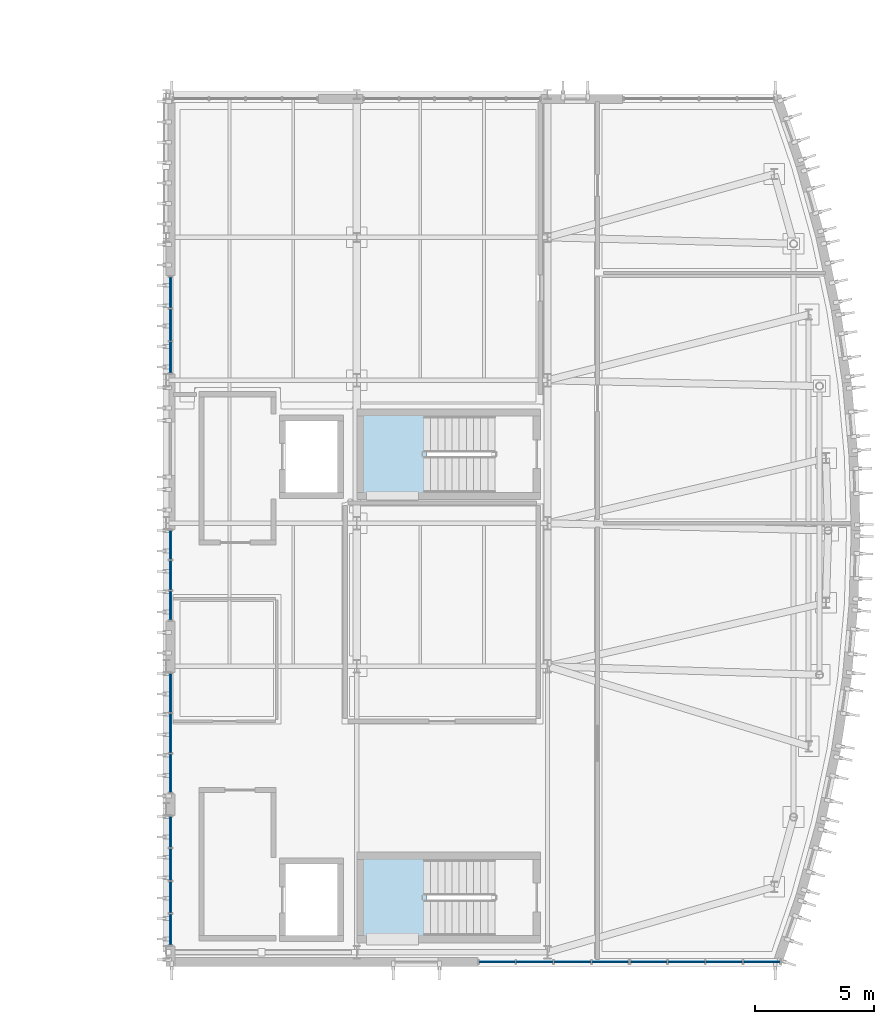
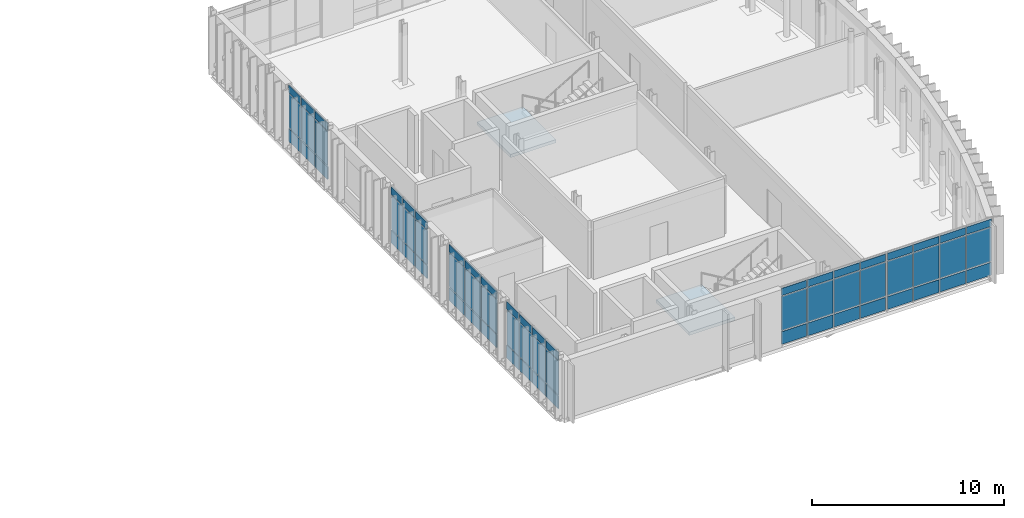
# One storey, part 19 of 43: 63 plates, 2 slabs, 8 elements without a shape of their own.
"""IFC4 building model written with IfcOpenShell, lengths in metres."""

from ifc_helpers import new_model, si_unit, direction, frame, origin, origin_2d, place, context, subcontext, project, spatial, polyline, rectangle, outline, extrude, material, layer, layer_set, type_object, element, aggregate, save


model = new_model("IFC4")

# Units and contexts
model_context = context("Model", 3, precision=1e-05, world=origin(), true_north=direction((0.0, 1.0)))
body_context = subcontext(model_context, "Body", "Model", "MODEL_VIEW")
ifc_project = project(units=[si_unit("LENGTHUNIT", "METRE"), si_unit("AREAUNIT", "SQUARE_METRE"), si_unit("VOLUMEUNIT", "CUBIC_METRE"), si_unit("PLANEANGLEUNIT", "RADIAN"), si_unit("MASSUNIT", "GRAM", prefix="KILO")], contexts=[model_context])

# Site, building, storey
site_placement = place(None, origin())
site = spatial("IfcSite", under=ifc_project, at=site_placement, CompositionType="ELEMENT")
building_placement = place(site_placement, origin())
building = spatial("IfcBuilding", under=site, at=building_placement, Name="Cymarion Research Institute", CompositionType="ELEMENT")
storey_placement = place(building_placement, frame((0.0, 0.0, 22.800048828125)))
storey = spatial("IfcBuildingStorey", under=building, at=storey_placement, Name="L05", CompositionType="ELEMENT", Elevation=22.800048828125)

# Curtain wall, plates
ifc_material_1 = material(Name="Anodised aluminium unitised curtain wall with Low-E glazing", Category="aluminium")
curtain_wall_type_1 = type_object("IfcCurtainWallType", Name="UNITISED CURTAIN WALL CW46 6360X3680", PredefinedType="NOTDEFINED", material=ifc_material_1)
curtain_wall_1_placement = place(storey_placement, origin())
curtain_wall_1 = element("IfcCurtainWall", 1, at=curtain_wall_1_placement, inside=storey, type_object=curtain_wall_type_1, Name="L05 V1 unitised curtain wall CW46 #200", PredefinedType="NOTDEFINED")
ifc_material_2 = material(Name="Insulated anodised aluminium spandrel panel", Category="aluminium")
ifc_layer_1 = layer(ifc_material_2, 0.06005859375)
ifc_layer_set_1 = layer_set([ifc_layer_1], Name="Insulated anodised aluminium spandrel panel")
plate_type_1 = type_object("IfcPlateType", Name="INSULATED ALUMINIUM SPANDREL PANEL SP01 60MM", PredefinedType="SHEET", material=ifc_layer_set_1)
plate_1_placement = place(storey_placement, frame((152.490966796875, 5.090087890625, 0.059814453125), z_axis=(0.0, 0.0, 1.0), x_axis=(1.0, 0.0, 0.0)))
plate_1 = element("IfcPlate", 2, at=plate_1_placement, type_object=plate_type_1, Name="CW46 panel 1.1", PredefinedType="SHEET", context=body_context, shape_type="SweptSolid", body=[
    extrude(rectangle(XDim=1.499755859375, YDim=0.06005859375, at=origin_2d()), origin(), (0.0, 0.0, 1.0), 0.81005859375),
])
plate_2_placement = place(storey_placement, frame((152.490966796875, 5.090087890625, 3.159912109375), z_axis=(0.0, 0.0, 1.0), x_axis=(1.0, 0.0, 0.0)))
plate_2 = element("IfcPlate", 3, at=plate_2_placement, type_object=plate_type_1, Name="CW46 panel 1.3", PredefinedType="SHEET", context=body_context, shape_type="SweptSolid", body=[
    extrude(rectangle(XDim=1.499755859375, YDim=0.06005859375, at=origin_2d()), origin(), (0.0, 0.0, 1.0), 0.4599609375),
])
plate_3_placement = place(storey_placement, frame((154.06591796875, 5.090087890625, 0.059814453125), z_axis=(0.0, 0.0, 1.0), x_axis=(1.0, 0.0, 0.0)))
plate_3 = element("IfcPlate", 4, at=plate_3_placement, type_object=plate_type_1, Name="CW46 panel 2.1", PredefinedType="SHEET", context=body_context, shape_type="SweptSolid", body=[
    extrude(rectangle(XDim=1.52978515625, YDim=0.06005859375, at=origin_2d()), origin(), (0.0, 0.0, 1.0), 0.81005859375),
])
plate_4_placement = place(storey_placement, frame((154.06591796875, 5.090087890625, 3.159912109375), z_axis=(0.0, 0.0, 1.0), x_axis=(1.0, 0.0, 0.0)))
plate_4 = element("IfcPlate", 5, at=plate_4_placement, type_object=plate_type_1, Name="CW46 panel 2.3", PredefinedType="SHEET", context=body_context, shape_type="SweptSolid", body=[
    extrude(rectangle(XDim=1.52978515625, YDim=0.06005859375, at=origin_2d()), origin(), (0.0, 0.0, 1.0), 0.4599609375),
])
plate_5_placement = place(storey_placement, frame((155.65576171875, 5.090087890625, 0.059814453125), z_axis=(0.0, 0.0, 1.0), x_axis=(1.0, 0.0, 0.0)))
plate_5 = element("IfcPlate", 6, at=plate_5_placement, type_object=plate_type_1, Name="CW46 panel 3.1", PredefinedType="SHEET", context=body_context, shape_type="SweptSolid", body=[
    extrude(rectangle(XDim=1.52978515625, YDim=0.06005859375, at=origin_2d()), origin(), (0.0, 0.0, 1.0), 0.81005859375),
])
plate_6_placement = place(storey_placement, frame((155.65576171875, 5.090087890625, 3.159912109375), z_axis=(0.0, 0.0, 1.0), x_axis=(1.0, 0.0, 0.0)))
plate_6 = element("IfcPlate", 7, at=plate_6_placement, type_object=plate_type_1, Name="CW46 panel 3.3", PredefinedType="SHEET", context=body_context, shape_type="SweptSolid", body=[
    extrude(rectangle(XDim=1.52978515625, YDim=0.06005859375, at=origin_2d()), origin(), (0.0, 0.0, 1.0), 0.4599609375),
])
plate_7_placement = place(storey_placement, frame((157.23046875, 5.090087890625, 0.059814453125), z_axis=(0.0, 0.0, 1.0), x_axis=(1.0, 0.0, 0.0)))
plate_7 = element("IfcPlate", 8, at=plate_7_placement, type_object=plate_type_1, Name="CW46 panel 4.1", PredefinedType="SHEET", context=body_context, shape_type="SweptSolid", body=[
    extrude(rectangle(XDim=1.499755859375, YDim=0.06005859375, at=origin_2d()), origin(), (0.0, 0.0, 1.0), 0.81005859375),
])
plate_8_placement = place(storey_placement, frame((157.23046875, 5.090087890625, 3.159912109375), z_axis=(0.0, 0.0, 1.0), x_axis=(1.0, 0.0, 0.0)))
plate_8 = element("IfcPlate", 9, at=plate_8_placement, type_object=plate_type_1, Name="CW46 panel 4.3", PredefinedType="SHEET", context=body_context, shape_type="SweptSolid", body=[
    extrude(rectangle(XDim=1.499755859375, YDim=0.06005859375, at=origin_2d()), origin(), (0.0, 0.0, 1.0), 0.4599609375),
])

curtain_wall_2_placement = place(storey_placement, origin())
curtain_wall_2 = element("IfcCurtainWall", 10, at=curtain_wall_2_placement, inside=storey, type_object=curtain_wall_type_1, Name="L05 V1 unitised curtain wall CW46 #201", PredefinedType="NOTDEFINED")
plate_9_placement = place(storey_placement, frame((158.850341796875, 5.090087890625, 0.059814453125), z_axis=(0.0, 0.0, 1.0), x_axis=(1.0, 0.0, 0.0)))
plate_9 = element("IfcPlate", 11, at=plate_9_placement, type_object=plate_type_1, Name="CW46 panel 1.1", PredefinedType="SHEET", context=body_context, shape_type="SweptSolid", body=[
    extrude(rectangle(XDim=1.499755859375, YDim=0.06005859375, at=origin_2d()), origin(), (0.0, 0.0, 1.0), 0.81005859375),
])
plate_10_placement = place(storey_placement, frame((158.850341796875, 5.090087890625, 3.159912109375), z_axis=(0.0, 0.0, 1.0), x_axis=(1.0, 0.0, 0.0)))
plate_10 = element("IfcPlate", 12, at=plate_10_placement, type_object=plate_type_1, Name="CW46 panel 1.3", PredefinedType="SHEET", context=body_context, shape_type="SweptSolid", body=[
    extrude(rectangle(XDim=1.499755859375, YDim=0.06005859375, at=origin_2d()), origin(), (0.0, 0.0, 1.0), 0.4599609375),
])
plate_11_placement = place(storey_placement, frame((160.42529296875, 5.090087890625, 0.059814453125), z_axis=(0.0, 0.0, 1.0), x_axis=(1.0, 0.0, 0.0)))
plate_11 = element("IfcPlate", 13, at=plate_11_placement, type_object=plate_type_1, Name="CW46 panel 2.1", PredefinedType="SHEET", context=body_context, shape_type="SweptSolid", body=[
    extrude(rectangle(XDim=1.52978515625, YDim=0.06005859375, at=origin_2d()), origin(), (0.0, 0.0, 1.0), 0.81005859375),
])
plate_12_placement = place(storey_placement, frame((160.42529296875, 5.090087890625, 3.159912109375), z_axis=(0.0, 0.0, 1.0), x_axis=(1.0, 0.0, 0.0)))
plate_12 = element("IfcPlate", 14, at=plate_12_placement, type_object=plate_type_1, Name="CW46 panel 2.3", PredefinedType="SHEET", context=body_context, shape_type="SweptSolid", body=[
    extrude(rectangle(XDim=1.52978515625, YDim=0.06005859375, at=origin_2d()), origin(), (0.0, 0.0, 1.0), 0.4599609375),
])
plate_13_placement = place(storey_placement, frame((162.01513671875, 5.090087890625, 0.059814453125), z_axis=(0.0, 0.0, 1.0), x_axis=(1.0, 0.0, 0.0)))
plate_13 = element("IfcPlate", 15, at=plate_13_placement, type_object=plate_type_1, Name="CW46 panel 3.1", PredefinedType="SHEET", context=body_context, shape_type="SweptSolid", body=[
    extrude(rectangle(XDim=1.52978515625, YDim=0.06005859375, at=origin_2d()), origin(), (0.0, 0.0, 1.0), 0.81005859375),
])
plate_14_placement = place(storey_placement, frame((162.01513671875, 5.090087890625, 3.159912109375), z_axis=(0.0, 0.0, 1.0), x_axis=(1.0, 0.0, 0.0)))
plate_14 = element("IfcPlate", 16, at=plate_14_placement, type_object=plate_type_1, Name="CW46 panel 3.3", PredefinedType="SHEET", context=body_context, shape_type="SweptSolid", body=[
    extrude(rectangle(XDim=1.52978515625, YDim=0.06005859375, at=origin_2d()), origin(), (0.0, 0.0, 1.0), 0.4599609375),
])
plate_15_placement = place(storey_placement, frame((163.590087890625, 5.090087890625, 0.059814453125), z_axis=(0.0, 0.0, 1.0), x_axis=(1.0, 0.0, 0.0)))
plate_15 = element("IfcPlate", 17, at=plate_15_placement, type_object=plate_type_1, Name="CW46 panel 4.1", PredefinedType="SHEET", context=body_context, shape_type="SweptSolid", body=[
    extrude(rectangle(XDim=1.499755859375, YDim=0.06005859375, at=origin_2d()), origin(), (0.0, 0.0, 1.0), 0.81005859375),
])
plate_16_placement = place(storey_placement, frame((163.590087890625, 5.090087890625, 3.159912109375), z_axis=(0.0, 0.0, 1.0), x_axis=(1.0, 0.0, 0.0)))
plate_16 = element("IfcPlate", 18, at=plate_16_placement, type_object=plate_type_1, Name="CW46 panel 4.3", PredefinedType="SHEET", context=body_context, shape_type="SweptSolid", body=[
    extrude(rectangle(XDim=1.499755859375, YDim=0.06005859375, at=origin_2d()), origin(), (0.0, 0.0, 1.0), 0.4599609375),
])

curtain_wall_type_2 = type_object("IfcCurtainWallType", Name="UNITISED CURTAIN WALL CW51 4130X3680", PredefinedType="NOTDEFINED", material=ifc_material_1)
curtain_wall_3_placement = place(storey_placement, origin())
curtain_wall_3 = element("IfcCurtainWall", 19, at=curtain_wall_3_placement, inside=storey, type_object=curtain_wall_type_2, Name="L05 V1 unitised curtain wall CW51 #206", PredefinedType="NOTDEFINED")
plate_17_placement = place(storey_placement, frame((138.7900390625, 33.18701171875, 0.059814453125), z_axis=(0.0, 0.0, 1.0), x_axis=(0.0, -1.0, 0.0)))
plate_17 = element("IfcPlate", 20, at=plate_17_placement, type_object=plate_type_1, Name="CW51 panel 1.1", PredefinedType="SHEET", context=body_context, shape_type="SweptSolid", body=[
    extrude(rectangle(XDim=1.286865234375, YDim=0.06005859375, at=origin_2d()), origin(), (0.0, 0.0, 1.0), 0.81005859375),
])
plate_18_placement = place(storey_placement, frame((138.7900390625, 33.18701171875, 3.159912109375), z_axis=(0.0, 0.0, 1.0), x_axis=(0.0, -1.0, 0.0)))
plate_18 = element("IfcPlate", 21, at=plate_18_placement, type_object=plate_type_1, Name="CW51 panel 1.3", PredefinedType="SHEET", context=body_context, shape_type="SweptSolid", body=[
    extrude(rectangle(XDim=1.286865234375, YDim=0.06005859375, at=origin_2d()), origin(), (0.0, 0.0, 1.0), 0.4599609375),
])
plate_19_placement = place(storey_placement, frame((138.7900390625, 31.8251953125, 0.059814453125), z_axis=(0.0, 0.0, 1.0), x_axis=(0.0, -1.0, 0.0)))
plate_19 = element("IfcPlate", 22, at=plate_19_placement, type_object=plate_type_1, Name="CW51 panel 2.1", PredefinedType="SHEET", context=body_context, shape_type="SweptSolid", body=[
    extrude(rectangle(XDim=1.31689453125, YDim=0.06005859375, at=origin_2d()), origin(), (0.0, 0.0, 1.0), 0.81005859375),
])
plate_20_placement = place(storey_placement, frame((138.7900390625, 31.8251953125, 3.159912109375), z_axis=(0.0, 0.0, 1.0), x_axis=(0.0, -1.0, 0.0)))
plate_20 = element("IfcPlate", 23, at=plate_20_placement, type_object=plate_type_1, Name="CW51 panel 2.3", PredefinedType="SHEET", context=body_context, shape_type="SweptSolid", body=[
    extrude(rectangle(XDim=1.31689453125, YDim=0.06005859375, at=origin_2d()), origin(), (0.0, 0.0, 1.0), 0.4599609375),
])
plate_21_placement = place(storey_placement, frame((138.7900390625, 30.46337890625, 0.059814453125), z_axis=(0.0, 0.0, 1.0), x_axis=(0.0, -1.0, 0.0)))
plate_21 = element("IfcPlate", 24, at=plate_21_placement, type_object=plate_type_1, Name="CW51 panel 3.1", PredefinedType="SHEET", context=body_context, shape_type="SweptSolid", body=[
    extrude(rectangle(XDim=1.286865234375, YDim=0.06005859375, at=origin_2d()), origin(), (0.0, 0.0, 1.0), 0.81005859375),
])
plate_22_placement = place(storey_placement, frame((138.7900390625, 30.46337890625, 3.159912109375), z_axis=(0.0, 0.0, 1.0), x_axis=(0.0, -1.0, 0.0)))
plate_22 = element("IfcPlate", 25, at=plate_22_placement, type_object=plate_type_1, Name="CW51 panel 3.3", PredefinedType="SHEET", context=body_context, shape_type="SweptSolid", body=[
    extrude(rectangle(XDim=1.286865234375, YDim=0.06005859375, at=origin_2d()), origin(), (0.0, 0.0, 1.0), 0.4599609375),
])

curtain_wall_type_3 = type_object("IfcCurtainWallType", Name="UNITISED CURTAIN WALL CW52 3850X3680", PredefinedType="NOTDEFINED", material=ifc_material_1)
curtain_wall_4_placement = place(storey_placement, origin())
curtain_wall_4 = element("IfcCurtainWall", 26, at=curtain_wall_4_placement, inside=storey, type_object=curtain_wall_type_3, Name="L05 V1 unitised curtain wall CW52 #207", PredefinedType="NOTDEFINED")
plate_23_placement = place(storey_placement, frame((138.7900390625, 22.584228515625, 0.059814453125), z_axis=(0.0, 0.0, 1.0), x_axis=(0.0, -1.0, 0.0)))
plate_23 = element("IfcPlate", 27, at=plate_23_placement, type_object=plate_type_1, Name="CW52 panel 1.1", PredefinedType="SHEET", context=body_context, shape_type="SweptSolid", body=[
    extrude(rectangle(XDim=1.191650390625, YDim=0.06005859375, at=origin_2d()), origin(), (0.0, 0.0, 1.0), 0.81005859375),
])
plate_24_placement = place(storey_placement, frame((138.7900390625, 22.584228515625, 3.159912109375), z_axis=(0.0, 0.0, 1.0), x_axis=(0.0, -1.0, 0.0)))
plate_24 = element("IfcPlate", 28, at=plate_24_placement, type_object=plate_type_1, Name="CW52 panel 1.3", PredefinedType="SHEET", context=body_context, shape_type="SweptSolid", body=[
    extrude(rectangle(XDim=1.191650390625, YDim=0.06005859375, at=origin_2d()), origin(), (0.0, 0.0, 1.0), 0.4599609375),
])
plate_25_placement = place(storey_placement, frame((138.7900390625, 21.317626953125, 0.059814453125), z_axis=(0.0, 0.0, 1.0), x_axis=(0.0, -1.0, 0.0)))
plate_25 = element("IfcPlate", 29, at=plate_25_placement, type_object=plate_type_1, Name="CW52 panel 2.1", PredefinedType="SHEET", context=body_context, shape_type="SweptSolid", body=[
    extrude(rectangle(XDim=1.2216796875, YDim=0.06005859375, at=origin_2d()), origin(), (0.0, 0.0, 1.0), 0.81005859375),
])
plate_26_placement = place(storey_placement, frame((138.7900390625, 21.317626953125, 3.159912109375), z_axis=(0.0, 0.0, 1.0), x_axis=(0.0, -1.0, 0.0)))
plate_26 = element("IfcPlate", 30, at=plate_26_placement, type_object=plate_type_1, Name="CW52 panel 2.3", PredefinedType="SHEET", context=body_context, shape_type="SweptSolid", body=[
    extrude(rectangle(XDim=1.2216796875, YDim=0.06005859375, at=origin_2d()), origin(), (0.0, 0.0, 1.0), 0.4599609375),
])
plate_27_placement = place(storey_placement, frame((138.7900390625, 20.051025390625, 0.059814453125), z_axis=(0.0, 0.0, 1.0), x_axis=(0.0, -1.0, 0.0)))
plate_27 = element("IfcPlate", 31, at=plate_27_placement, type_object=plate_type_1, Name="CW52 panel 3.1", PredefinedType="SHEET", context=body_context, shape_type="SweptSolid", body=[
    extrude(rectangle(XDim=1.191650390625, YDim=0.06005859375, at=origin_2d()), origin(), (0.0, 0.0, 1.0), 0.81005859375),
])
plate_28_placement = place(storey_placement, frame((138.7900390625, 20.051025390625, 3.159912109375), z_axis=(0.0, 0.0, 1.0), x_axis=(0.0, -1.0, 0.0)))
plate_28 = element("IfcPlate", 32, at=plate_28_placement, type_object=plate_type_1, Name="CW52 panel 3.3", PredefinedType="SHEET", context=body_context, shape_type="SweptSolid", body=[
    extrude(rectangle(XDim=1.191650390625, YDim=0.06005859375, at=origin_2d()), origin(), (0.0, 0.0, 1.0), 0.4599609375),
])

curtain_wall_type_4 = type_object("IfcCurtainWallType", Name="UNITISED CURTAIN WALL CW53 5090X3680", PredefinedType="NOTDEFINED", material=ifc_material_1)
curtain_wall_5_placement = place(storey_placement, origin())
curtain_wall_5 = element("IfcCurtainWall", 33, at=curtain_wall_5_placement, inside=storey, type_object=curtain_wall_type_4, Name="L05 V1 unitised curtain wall CW53 #208", PredefinedType="NOTDEFINED")
plate_29_placement = place(storey_placement, frame((138.7900390625, 16.376220703125, 0.059814453125), z_axis=(0.0, 0.0, 1.0), x_axis=(0.0, -1.0, 0.0)))
plate_29 = element("IfcPlate", 34, at=plate_29_placement, type_object=plate_type_1, Name="CW53 panel 1.1", PredefinedType="SHEET", context=body_context, shape_type="SweptSolid", body=[
    extrude(rectangle(XDim=1.607421875, YDim=0.06005859375, at=origin_2d()), origin(), (0.0, 0.0, 1.0), 0.81005859375),
])
plate_30_placement = place(storey_placement, frame((138.7900390625, 16.376220703125, 3.159912109375), z_axis=(0.0, 0.0, 1.0), x_axis=(0.0, -1.0, 0.0)))
plate_30 = element("IfcPlate", 35, at=plate_30_placement, type_object=plate_type_1, Name="CW53 panel 1.3", PredefinedType="SHEET", context=body_context, shape_type="SweptSolid", body=[
    extrude(rectangle(XDim=1.607421875, YDim=0.06005859375, at=origin_2d()), origin(), (0.0, 0.0, 1.0), 0.4599609375),
])
plate_31_placement = place(storey_placement, frame((138.7900390625, 14.69384765625, 0.059814453125), z_axis=(0.0, 0.0, 1.0), x_axis=(0.0, -1.0, 0.0)))
plate_31 = element("IfcPlate", 36, at=plate_31_placement, type_object=plate_type_1, Name="CW53 panel 2.1", PredefinedType="SHEET", context=body_context, shape_type="SweptSolid", body=[
    extrude(rectangle(XDim=1.637451171875, YDim=0.06005859375, at=origin_2d()), origin(), (0.0, 0.0, 1.0), 0.81005859375),
])
plate_32_placement = place(storey_placement, frame((138.7900390625, 14.69384765625, 3.159912109375), z_axis=(0.0, 0.0, 1.0), x_axis=(0.0, -1.0, 0.0)))
plate_32 = element("IfcPlate", 37, at=plate_32_placement, type_object=plate_type_1, Name="CW53 panel 2.3", PredefinedType="SHEET", context=body_context, shape_type="SweptSolid", body=[
    extrude(rectangle(XDim=1.637451171875, YDim=0.06005859375, at=origin_2d()), origin(), (0.0, 0.0, 1.0), 0.4599609375),
])
plate_33_placement = place(storey_placement, frame((138.7900390625, 13.01123046875, 0.059814453125), z_axis=(0.0, 0.0, 1.0), x_axis=(0.0, -1.0, 0.0)))
plate_33 = element("IfcPlate", 38, at=plate_33_placement, type_object=plate_type_1, Name="CW53 panel 3.1", PredefinedType="SHEET", context=body_context, shape_type="SweptSolid", body=[
    extrude(rectangle(XDim=1.607421875, YDim=0.06005859375, at=origin_2d()), origin(), (0.0, 0.0, 1.0), 0.81005859375),
])
plate_34_placement = place(storey_placement, frame((138.7900390625, 13.01123046875, 3.159912109375), z_axis=(0.0, 0.0, 1.0), x_axis=(0.0, -1.0, 0.0)))
plate_34 = element("IfcPlate", 39, at=plate_34_placement, type_object=plate_type_1, Name="CW53 panel 3.3", PredefinedType="SHEET", context=body_context, shape_type="SweptSolid", body=[
    extrude(rectangle(XDim=1.607421875, YDim=0.06005859375, at=origin_2d()), origin(), (0.0, 0.0, 1.0), 0.4599609375),
])

curtain_wall_type_5 = type_object("IfcCurtainWallType", Name="UNITISED CURTAIN WALL CW54 5480X3680", PredefinedType="NOTDEFINED", material=ifc_material_1)
curtain_wall_6_placement = place(storey_placement, origin())
curtain_wall_6 = element("IfcCurtainWall", 40, at=curtain_wall_6_placement, inside=storey, type_object=curtain_wall_type_5, Name="L05 V1 unitised curtain wall CW54 #209", PredefinedType="NOTDEFINED")
plate_35_placement = place(storey_placement, frame((138.7900390625, 10.5400390625, 0.059814453125), z_axis=(0.0, 0.0, 1.0), x_axis=(0.0, -1.0, 0.0)))
plate_35 = element("IfcPlate", 41, at=plate_35_placement, type_object=plate_type_1, Name="CW54 panel 1.1", PredefinedType="SHEET", context=body_context, shape_type="SweptSolid", body=[
    extrude(rectangle(XDim=1.280029296875, YDim=0.06005859375, at=origin_2d()), origin(), (0.0, 0.0, 1.0), 0.81005859375),
])
plate_36_placement = place(storey_placement, frame((138.7900390625, 10.5400390625, 3.159912109375), z_axis=(0.0, 0.0, 1.0), x_axis=(0.0, -1.0, 0.0)))
plate_36 = element("IfcPlate", 42, at=plate_36_placement, type_object=plate_type_1, Name="CW54 panel 1.3", PredefinedType="SHEET", context=body_context, shape_type="SweptSolid", body=[
    extrude(rectangle(XDim=1.280029296875, YDim=0.06005859375, at=origin_2d()), origin(), (0.0, 0.0, 1.0), 0.4599609375),
])
plate_37_placement = place(storey_placement, frame((138.7900390625, 9.18505859375, 0.059814453125), z_axis=(0.0, 0.0, 1.0), x_axis=(0.0, -1.0, 0.0)))
plate_37 = element("IfcPlate", 43, at=plate_37_placement, type_object=plate_type_1, Name="CW54 panel 2.1", PredefinedType="SHEET", context=body_context, shape_type="SweptSolid", body=[
    extrude(rectangle(XDim=1.31005859375, YDim=0.06005859375, at=origin_2d()), origin(), (0.0, 0.0, 1.0), 0.81005859375),
])
plate_38_placement = place(storey_placement, frame((138.7900390625, 9.18505859375, 3.159912109375), z_axis=(0.0, 0.0, 1.0), x_axis=(0.0, -1.0, 0.0)))
plate_38 = element("IfcPlate", 44, at=plate_38_placement, type_object=plate_type_1, Name="CW54 panel 2.3", PredefinedType="SHEET", context=body_context, shape_type="SweptSolid", body=[
    extrude(rectangle(XDim=1.31005859375, YDim=0.06005859375, at=origin_2d()), origin(), (0.0, 0.0, 1.0), 0.4599609375),
])
plate_39_placement = place(storey_placement, frame((138.7900390625, 7.81494140625, 0.059814453125), z_axis=(0.0, 0.0, 1.0), x_axis=(0.0, -1.0, 0.0)))
plate_39 = element("IfcPlate", 45, at=plate_39_placement, type_object=plate_type_1, Name="CW54 panel 3.1", PredefinedType="SHEET", context=body_context, shape_type="SweptSolid", body=[
    extrude(rectangle(XDim=1.31005859375, YDim=0.06005859375, at=origin_2d()), origin(), (0.0, 0.0, 1.0), 0.81005859375),
])
plate_40_placement = place(storey_placement, frame((138.7900390625, 7.81494140625, 3.159912109375), z_axis=(0.0, 0.0, 1.0), x_axis=(0.0, -1.0, 0.0)))
plate_40 = element("IfcPlate", 46, at=plate_40_placement, type_object=plate_type_1, Name="CW54 panel 3.3", PredefinedType="SHEET", context=body_context, shape_type="SweptSolid", body=[
    extrude(rectangle(XDim=1.31005859375, YDim=0.06005859375, at=origin_2d()), origin(), (0.0, 0.0, 1.0), 0.4599609375),
])
plate_41_placement = place(storey_placement, frame((138.7900390625, 6.4599609375, 0.059814453125), z_axis=(0.0, 0.0, 1.0), x_axis=(0.0, -1.0, 0.0)))
plate_41 = element("IfcPlate", 47, at=plate_41_placement, type_object=plate_type_1, Name="CW54 panel 4.1", PredefinedType="SHEET", context=body_context, shape_type="SweptSolid", body=[
    extrude(rectangle(XDim=1.280029296875, YDim=0.06005859375, at=origin_2d()), origin(), (0.0, 0.0, 1.0), 0.81005859375),
])
plate_42_placement = place(storey_placement, frame((138.7900390625, 6.4599609375, 3.159912109375), z_axis=(0.0, 0.0, 1.0), x_axis=(0.0, -1.0, 0.0)))
plate_42 = element("IfcPlate", 48, at=plate_42_placement, type_object=plate_type_1, Name="CW54 panel 4.3", PredefinedType="SHEET", context=body_context, shape_type="SweptSolid", body=[
    extrude(rectangle(XDim=1.280029296875, YDim=0.06005859375, at=origin_2d()), origin(), (0.0, 0.0, 1.0), 0.4599609375),
])

# Stair, slab
ifc_material_3 = material(Name="Concrete C35/45", Category="concrete")
stair_type = type_object("IfcStairType", Name="REINFORCED CONCRETE DOGLEG STAIR STR-3900", PredefinedType="HALF_TURN_STAIR", material=ifc_material_3)
stair_1_placement = place(storey_placement, origin())
stair_1 = element("IfcStair", 49, at=stair_1_placement, inside=storey, type_object=stair_type, Name="L05 Core C1 Smoke-Proof Exit Stair ST1", PredefinedType="HALF_TURN_STAIR")
ifc_layer_2 = layer(ifc_material_3, 0.199951171875)
ifc_layer_set_2 = layer_set([ifc_layer_2], Name="Concrete C35/45")
slab_type = type_object("IfcSlabType", Name="REINFORCED CONCRETE STAIR LANDING LDG200", PredefinedType="LANDING", material=ifc_layer_set_2)
slab_1_placement = place(storey_placement, frame((0.0, 0.0, 1.75)))
slab_1 = element("IfcSlab", 50, at=slab_1_placement, type_object=slab_type, Name="ST1 landing 1", PredefinedType="LANDING", context=body_context, shape_type="SweptSolid", body=[
    extrude(outline(polyline([(149.52001953125, 9.52001953125), (149.52001953125, 6.080078125), (146.780029296875, 6.080078125), (146.780029296875, 9.52001953125), (149.52001953125, 9.52001953125)])), origin(), (0.0, 0.0, 1.0), 0.199951171875),
])
aggregate(stair_1, [slab_1])

stair_2_placement = place(storey_placement, origin())
stair_2 = element("IfcStair", 51, at=stair_2_placement, inside=storey, type_object=stair_type, Name="L05 Core C2 Smoke-Proof Exit Stair ST2", PredefinedType="HALF_TURN_STAIR")
slab_2_placement = place(storey_placement, frame((0.0, 0.0, 1.75)))
slab_2 = element("IfcSlab", 52, at=slab_2_placement, type_object=slab_type, Name="ST2 landing 1", PredefinedType="LANDING", context=body_context, shape_type="SweptSolid", body=[
    extrude(outline(polyline([(149.52001953125, 28.1201171875), (149.52001953125, 24.679931640625), (146.780029296875, 24.679931640625), (146.780029296875, 28.1201171875), (149.52001953125, 28.1201171875)])), origin(), (0.0, 0.0, 1.0), 0.199951171875),
])
aggregate(stair_2, [slab_2])

# Plate
ifc_material_4 = material(Name="Low-E double solar-control glazing", Category="glass")
ifc_layer_3 = layer(ifc_material_4, 0.035888671875)
ifc_layer_set_3 = layer_set([ifc_layer_3], Name="Low-E double solar-control glazing")
plate_type_2 = type_object("IfcPlateType", Name="SOLAR CONTROL GLAZED VISION PANEL GP01 36MM", PredefinedType="CURTAIN_PANEL", material=ifc_layer_set_3)
plate_43_placement = place(storey_placement, frame((152.490966796875, 5.090087890625, 0.929931640625), z_axis=(0.0, 0.0, 1.0), x_axis=(1.0, 0.0, 0.0)))
plate_43 = element("IfcPlate", 53, at=plate_43_placement, type_object=plate_type_2, Name="CW46 panel 1.2", PredefinedType="CURTAIN_PANEL", context=body_context, shape_type="SweptSolid", body=[
    extrude(rectangle(XDim=1.499755859375, YDim=0.035888671875, at=origin_2d()), origin(), (0.0, 0.0, 1.0), 2.169921875),
])

plate_44_placement = place(storey_placement, frame((154.06591796875, 5.090087890625, 0.929931640625), z_axis=(0.0, 0.0, 1.0), x_axis=(1.0, 0.0, 0.0)))
plate_44 = element("IfcPlate", 54, at=plate_44_placement, type_object=plate_type_2, Name="CW46 panel 2.2", PredefinedType="CURTAIN_PANEL", context=body_context, shape_type="SweptSolid", body=[
    extrude(rectangle(XDim=1.52978515625, YDim=0.035888671875, at=origin_2d()), origin(), (0.0, 0.0, 1.0), 2.169921875),
])

plate_45_placement = place(storey_placement, frame((155.65576171875, 5.090087890625, 0.929931640625), z_axis=(0.0, 0.0, 1.0), x_axis=(1.0, 0.0, 0.0)))
plate_45 = element("IfcPlate", 55, at=plate_45_placement, type_object=plate_type_2, Name="CW46 panel 3.2", PredefinedType="CURTAIN_PANEL", context=body_context, shape_type="SweptSolid", body=[
    extrude(rectangle(XDim=1.52978515625, YDim=0.035888671875, at=origin_2d()), origin(), (0.0, 0.0, 1.0), 2.169921875),
])

plate_46_placement = place(storey_placement, frame((157.23046875, 5.090087890625, 0.929931640625), z_axis=(0.0, 0.0, 1.0), x_axis=(1.0, 0.0, 0.0)))
plate_46 = element("IfcPlate", 56, at=plate_46_placement, type_object=plate_type_2, Name="CW46 panel 4.2", PredefinedType="CURTAIN_PANEL", context=body_context, shape_type="SweptSolid", body=[
    extrude(rectangle(XDim=1.499755859375, YDim=0.035888671875, at=origin_2d()), origin(), (0.0, 0.0, 1.0), 2.169921875),
])

aggregate(curtain_wall_1, [plate_1, plate_43, plate_2, plate_3, plate_44, plate_4, plate_5, plate_45, plate_6, plate_7, plate_46, plate_8])

plate_47_placement = place(storey_placement, frame((158.850341796875, 5.090087890625, 0.929931640625), z_axis=(0.0, 0.0, 1.0), x_axis=(1.0, 0.0, 0.0)))
plate_47 = element("IfcPlate", 57, at=plate_47_placement, type_object=plate_type_2, Name="CW46 panel 1.2", PredefinedType="CURTAIN_PANEL", context=body_context, shape_type="SweptSolid", body=[
    extrude(rectangle(XDim=1.499755859375, YDim=0.035888671875, at=origin_2d()), origin(), (0.0, 0.0, 1.0), 2.169921875),
])

plate_48_placement = place(storey_placement, frame((160.42529296875, 5.090087890625, 0.929931640625), z_axis=(0.0, 0.0, 1.0), x_axis=(1.0, 0.0, 0.0)))
plate_48 = element("IfcPlate", 58, at=plate_48_placement, type_object=plate_type_2, Name="CW46 panel 2.2", PredefinedType="CURTAIN_PANEL", context=body_context, shape_type="SweptSolid", body=[
    extrude(rectangle(XDim=1.52978515625, YDim=0.035888671875, at=origin_2d()), origin(), (0.0, 0.0, 1.0), 2.169921875),
])

plate_49_placement = place(storey_placement, frame((162.01513671875, 5.090087890625, 0.929931640625), z_axis=(0.0, 0.0, 1.0), x_axis=(1.0, 0.0, 0.0)))
plate_49 = element("IfcPlate", 59, at=plate_49_placement, type_object=plate_type_2, Name="CW46 panel 3.2", PredefinedType="CURTAIN_PANEL", context=body_context, shape_type="SweptSolid", body=[
    extrude(rectangle(XDim=1.52978515625, YDim=0.035888671875, at=origin_2d()), origin(), (0.0, 0.0, 1.0), 2.169921875),
])

plate_50_placement = place(storey_placement, frame((163.590087890625, 5.090087890625, 0.929931640625), z_axis=(0.0, 0.0, 1.0), x_axis=(1.0, 0.0, 0.0)))
plate_50 = element("IfcPlate", 60, at=plate_50_placement, type_object=plate_type_2, Name="CW46 panel 4.2", PredefinedType="CURTAIN_PANEL", context=body_context, shape_type="SweptSolid", body=[
    extrude(rectangle(XDim=1.499755859375, YDim=0.035888671875, at=origin_2d()), origin(), (0.0, 0.0, 1.0), 2.169921875),
])

aggregate(curtain_wall_2, [plate_9, plate_47, plate_10, plate_11, plate_48, plate_12, plate_13, plate_49, plate_14, plate_15, plate_50, plate_16])

plate_51_placement = place(storey_placement, frame((138.7900390625, 33.18701171875, 0.929931640625), z_axis=(0.0, 0.0, 1.0), x_axis=(0.0, -1.0, 0.0)))
plate_51 = element("IfcPlate", 61, at=plate_51_placement, type_object=plate_type_2, Name="CW51 panel 1.2", PredefinedType="CURTAIN_PANEL", context=body_context, shape_type="SweptSolid", body=[
    extrude(rectangle(XDim=1.286865234375, YDim=0.035888671875, at=origin_2d()), origin(), (0.0, 0.0, 1.0), 2.169921875),
])

plate_52_placement = place(storey_placement, frame((138.7900390625, 31.8251953125, 0.929931640625), z_axis=(0.0, 0.0, 1.0), x_axis=(0.0, -1.0, 0.0)))
plate_52 = element("IfcPlate", 62, at=plate_52_placement, type_object=plate_type_2, Name="CW51 panel 2.2", PredefinedType="CURTAIN_PANEL", context=body_context, shape_type="SweptSolid", body=[
    extrude(rectangle(XDim=1.31689453125, YDim=0.035888671875, at=origin_2d()), origin(), (0.0, 0.0, 1.0), 2.169921875),
])

plate_53_placement = place(storey_placement, frame((138.7900390625, 30.46337890625, 0.929931640625), z_axis=(0.0, 0.0, 1.0), x_axis=(0.0, -1.0, 0.0)))
plate_53 = element("IfcPlate", 63, at=plate_53_placement, type_object=plate_type_2, Name="CW51 panel 3.2", PredefinedType="CURTAIN_PANEL", context=body_context, shape_type="SweptSolid", body=[
    extrude(rectangle(XDim=1.286865234375, YDim=0.035888671875, at=origin_2d()), origin(), (0.0, 0.0, 1.0), 2.169921875),
])

aggregate(curtain_wall_3, [plate_17, plate_51, plate_18, plate_19, plate_52, plate_20, plate_21, plate_53, plate_22])

plate_54_placement = place(storey_placement, frame((138.7900390625, 22.584228515625, 0.929931640625), z_axis=(0.0, 0.0, 1.0), x_axis=(0.0, -1.0, 0.0)))
plate_54 = element("IfcPlate", 64, at=plate_54_placement, type_object=plate_type_2, Name="CW52 panel 1.2", PredefinedType="CURTAIN_PANEL", context=body_context, shape_type="SweptSolid", body=[
    extrude(rectangle(XDim=1.191650390625, YDim=0.035888671875, at=origin_2d()), origin(), (0.0, 0.0, 1.0), 2.169921875),
])

plate_55_placement = place(storey_placement, frame((138.7900390625, 21.317626953125, 0.929931640625), z_axis=(0.0, 0.0, 1.0), x_axis=(0.0, -1.0, 0.0)))
plate_55 = element("IfcPlate", 65, at=plate_55_placement, type_object=plate_type_2, Name="CW52 panel 2.2", PredefinedType="CURTAIN_PANEL", context=body_context, shape_type="SweptSolid", body=[
    extrude(rectangle(XDim=1.2216796875, YDim=0.035888671875, at=origin_2d()), origin(), (0.0, 0.0, 1.0), 2.169921875),
])

plate_56_placement = place(storey_placement, frame((138.7900390625, 20.051025390625, 0.929931640625), z_axis=(0.0, 0.0, 1.0), x_axis=(0.0, -1.0, 0.0)))
plate_56 = element("IfcPlate", 66, at=plate_56_placement, type_object=plate_type_2, Name="CW52 panel 3.2", PredefinedType="CURTAIN_PANEL", context=body_context, shape_type="SweptSolid", body=[
    extrude(rectangle(XDim=1.191650390625, YDim=0.035888671875, at=origin_2d()), origin(), (0.0, 0.0, 1.0), 2.169921875),
])

aggregate(curtain_wall_4, [plate_23, plate_54, plate_24, plate_25, plate_55, plate_26, plate_27, plate_56, plate_28])

plate_57_placement = place(storey_placement, frame((138.7900390625, 16.376220703125, 0.929931640625), z_axis=(0.0, 0.0, 1.0), x_axis=(0.0, -1.0, 0.0)))
plate_57 = element("IfcPlate", 67, at=plate_57_placement, type_object=plate_type_2, Name="CW53 panel 1.2", PredefinedType="CURTAIN_PANEL", context=body_context, shape_type="SweptSolid", body=[
    extrude(rectangle(XDim=1.607421875, YDim=0.035888671875, at=origin_2d()), origin(), (0.0, 0.0, 1.0), 2.169921875),
])

plate_58_placement = place(storey_placement, frame((138.7900390625, 14.69384765625, 0.929931640625), z_axis=(0.0, 0.0, 1.0), x_axis=(0.0, -1.0, 0.0)))
plate_58 = element("IfcPlate", 68, at=plate_58_placement, type_object=plate_type_2, Name="CW53 panel 2.2", PredefinedType="CURTAIN_PANEL", context=body_context, shape_type="SweptSolid", body=[
    extrude(rectangle(XDim=1.637451171875, YDim=0.035888671875, at=origin_2d()), origin(), (0.0, 0.0, 1.0), 2.169921875),
])

plate_59_placement = place(storey_placement, frame((138.7900390625, 13.01123046875, 0.929931640625), z_axis=(0.0, 0.0, 1.0), x_axis=(0.0, -1.0, 0.0)))
plate_59 = element("IfcPlate", 69, at=plate_59_placement, type_object=plate_type_2, Name="CW53 panel 3.2", PredefinedType="CURTAIN_PANEL", context=body_context, shape_type="SweptSolid", body=[
    extrude(rectangle(XDim=1.607421875, YDim=0.035888671875, at=origin_2d()), origin(), (0.0, 0.0, 1.0), 2.169921875),
])

aggregate(curtain_wall_5, [plate_29, plate_57, plate_30, plate_31, plate_58, plate_32, plate_33, plate_59, plate_34])

plate_60_placement = place(storey_placement, frame((138.7900390625, 10.5400390625, 0.929931640625), z_axis=(0.0, 0.0, 1.0), x_axis=(0.0, -1.0, 0.0)))
plate_60 = element("IfcPlate", 70, at=plate_60_placement, type_object=plate_type_2, Name="CW54 panel 1.2", PredefinedType="CURTAIN_PANEL", context=body_context, shape_type="SweptSolid", body=[
    extrude(rectangle(XDim=1.280029296875, YDim=0.035888671875, at=origin_2d()), origin(), (0.0, 0.0, 1.0), 2.169921875),
])

plate_61_placement = place(storey_placement, frame((138.7900390625, 9.18505859375, 0.929931640625), z_axis=(0.0, 0.0, 1.0), x_axis=(0.0, -1.0, 0.0)))
plate_61 = element("IfcPlate", 71, at=plate_61_placement, type_object=plate_type_2, Name="CW54 panel 2.2", PredefinedType="CURTAIN_PANEL", context=body_context, shape_type="SweptSolid", body=[
    extrude(rectangle(XDim=1.31005859375, YDim=0.035888671875, at=origin_2d()), origin(), (0.0, 0.0, 1.0), 2.169921875),
])

plate_62_placement = place(storey_placement, frame((138.7900390625, 7.81494140625, 0.929931640625), z_axis=(0.0, 0.0, 1.0), x_axis=(0.0, -1.0, 0.0)))
plate_62 = element("IfcPlate", 72, at=plate_62_placement, type_object=plate_type_2, Name="CW54 panel 3.2", PredefinedType="CURTAIN_PANEL", context=body_context, shape_type="SweptSolid", body=[
    extrude(rectangle(XDim=1.31005859375, YDim=0.035888671875, at=origin_2d()), origin(), (0.0, 0.0, 1.0), 2.169921875),
])

plate_63_placement = place(storey_placement, frame((138.7900390625, 6.4599609375, 0.929931640625), z_axis=(0.0, 0.0, 1.0), x_axis=(0.0, -1.0, 0.0)))
plate_63 = element("IfcPlate", 73, at=plate_63_placement, type_object=plate_type_2, Name="CW54 panel 4.2", PredefinedType="CURTAIN_PANEL", context=body_context, shape_type="SweptSolid", body=[
    extrude(rectangle(XDim=1.280029296875, YDim=0.035888671875, at=origin_2d()), origin(), (0.0, 0.0, 1.0), 2.169921875),
])

aggregate(curtain_wall_6, [plate_35, plate_60, plate_36, plate_37, plate_61, plate_38, plate_39, plate_62, plate_40, plate_41, plate_63, plate_42])

save(model, "model.ifc")
